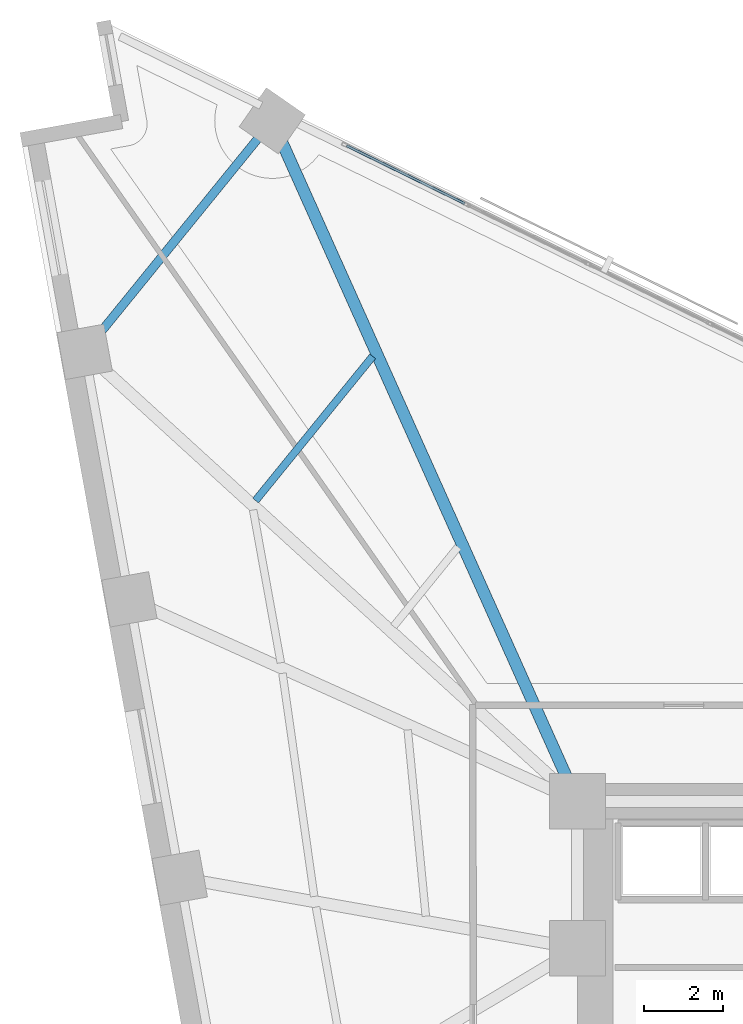
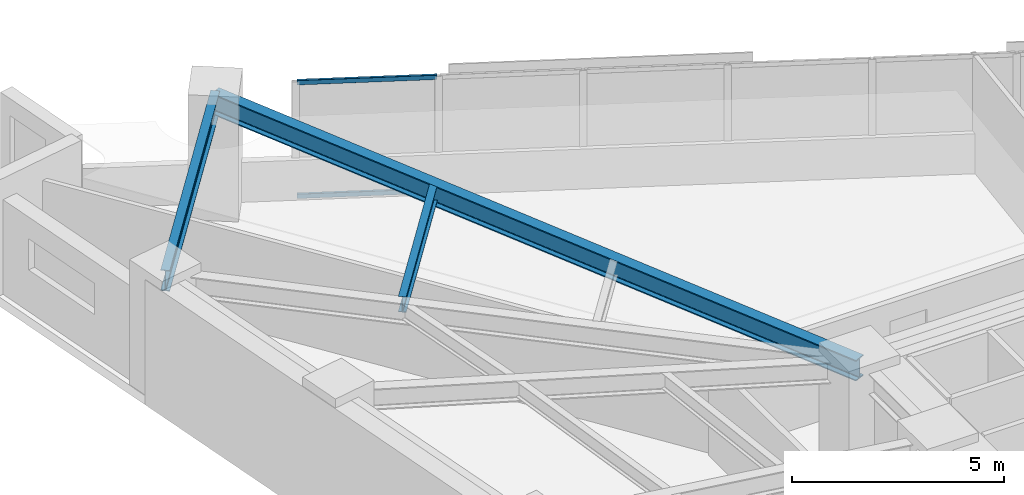
# One storey, part 9 of 18: 3 beams, 2 members, 1 element without a shape of its own.
"""IFC4 building model written with IfcOpenShell, lengths in metres."""

from ifc_helpers import new_model, si_unit, direction, frame, origin, origin_2d, place, context, subcontext, project, spatial, hollow_rectangle, i_section, extrude, material, material_profile, profile_set, type_object, element, aggregate, save


model = new_model("IFC4")

# Units and contexts
model_context = context("Model", 3, precision=1e-05, world=origin(), true_north=direction((0.0, 1.0)))
body_context = subcontext(model_context, "Body", "Model", "MODEL_VIEW")
ifc_project = project(units=[si_unit("LENGTHUNIT", "METRE"), si_unit("AREAUNIT", "SQUARE_METRE"), si_unit("VOLUMEUNIT", "CUBIC_METRE"), si_unit("PLANEANGLEUNIT", "RADIAN"), si_unit("MASSUNIT", "GRAM", prefix="KILO")], contexts=[model_context])

# Site, building, storey
site_placement = place(None, origin())
site = spatial("IfcSite", under=ifc_project, at=site_placement, CompositionType="ELEMENT")
building_placement = place(site_placement, origin())
building = spatial("IfcBuilding", under=site, at=building_placement, Name="Narakoshi Arena Tower", CompositionType="ELEMENT")
storey_placement = place(building_placement, frame((0.0, 0.0, 102.89990234375)))
storey = spatial("IfcBuildingStorey", under=building, at=storey_placement, Name="L27", CompositionType="ELEMENT", Elevation=102.89990234375)

# Beams
ifc_material_1 = material(Name="Structural steel S355J2", Category="steel")
ifc_material_profile_1 = material_profile(ifc_material_1, i_section(OverallWidth=0.219970703125, OverallDepth=0.60009765625, WebThickness=0.011962890625, FlangeThickness=0.01904296875, FilletRadius=0.02392578125, at=origin_2d()), Name="IPE600")
ifc_profile_set_1 = profile_set([ifc_material_profile_1], Name="Structural steel S355J2")
beam_type_1 = type_object("IfcBeamType", Name="BM-EDGE-600", PredefinedType="BEAM", material=ifc_profile_set_1)
beam_1_placement = place(storey_placement, frame((64.31787109375, 73.633056640625, 3.0400390625), z_axis=(-0.630427035182, -0.776248512598, 0.0), x_axis=(0.776248512598, -0.630427035182, 0.0)))
element("IfcBeam", 1, at=beam_1_placement, inside=storey, type_object=beam_type_1, Name="L27 Perimeter Edge Girder 09", PredefinedType="BEAM", context=body_context, shape_type="SweptSolid", body=[
    extrude(i_section(OverallWidth=0.219970703125, OverallDepth=0.60009765625, WebThickness=0.011962890625, FlangeThickness=0.01904296875, FilletRadius=0.02392578125, at=origin_2d()), origin(), (0.0, 0.0, 1.0), 7.493896484375),
])
ifc_material_profile_2 = material_profile(ifc_material_1, i_section(OverallWidth=0.300048828125, OverallDepth=0.60009765625, WebThickness=0.015380859375, FlangeThickness=0.030029296875, FilletRadius=0.027099609375, at=origin_2d()), Name="HE600B")
ifc_profile_set_2 = profile_set([ifc_material_profile_2], Name="Structural steel S355J2")
beam_type_2 = type_object("IfcBeamType", Name="BM-PRI-600", PredefinedType="BEAM", material=ifc_profile_set_2)
beam_2_placement = place(storey_placement, frame((72.0, 56.5, 3.0400390625), z_axis=(-0.409135423529, 0.91247367371, 0.0), x_axis=(-0.91247367371, -0.409135423529, 0.0)))
element("IfcBeam", 2, at=beam_2_placement, inside=storey, type_object=beam_type_2, Name="L27 Radial Primary Floor Girder 09", PredefinedType="BEAM", context=body_context, shape_type="SweptSolid", body=[
    extrude(i_section(OverallWidth=0.300048828125, OverallDepth=0.60009765625, WebThickness=0.015380859375, FlangeThickness=0.030029296875, FilletRadius=0.027099609375, at=origin_2d()), origin(), (0.0, 0.0, 1.0), 18.776611328125),
])
ifc_material_profile_3 = material_profile(ifc_material_1, i_section(OverallWidth=0.18994140625, OverallDepth=0.449951171875, WebThickness=0.009521484375, FlangeThickness=0.0146484375, FilletRadius=0.02099609375, at=origin_2d()), Name="IPE450")
ifc_profile_set_3 = profile_set([ifc_material_profile_3], Name="Structural steel S355J2")
beam_type_3 = type_object("IfcBeamType", Name="BM-SEC-450", PredefinedType="JOIST", material=ifc_profile_set_3)
beam_3_placement = place(storey_placement, frame((66.844482421875, 67.702880859375, 3.114990234375), z_axis=(-0.630421596357, -0.776252929687, 0.0), x_axis=(0.776252929687, -0.630421596357, 0.0)))
element("IfcBeam", 3, at=beam_3_placement, inside=storey, type_object=beam_type_3, Name="L27 Composite Secondary Floor Joist 11", PredefinedType="JOIST", context=body_context, shape_type="SweptSolid", body=[
    extrude(i_section(OverallWidth=0.18994140625, OverallDepth=0.449951171875, WebThickness=0.009521484375, FlangeThickness=0.0146484375, FilletRadius=0.02099609375, at=origin_2d()), origin(), (0.0, 0.0, 1.0), 4.67578125),
])

# Curtain wall, members
ifc_material_2 = material(Name="Anodised bronze aluminium 6063-T6", Category="aluminium")
curtain_wall_type = type_object("IfcCurtainWallType", Name="CW-HYP-LOW", PredefinedType="NOTDEFINED", material=ifc_material_2)
curtain_wall_placement = place(storey_placement, origin())
curtain_wall = element("IfcCurtainWall", 4, at=curtain_wall_placement, inside=storey, type_object=curtain_wall_type, Name="L27 Folded Hypotenuse Curtain Wall 2-1", PredefinedType="NOTDEFINED")
ifc_material_profile_4 = material_profile(ifc_material_2, hollow_rectangle(XDim=0.06494140625, YDim=0.1298828125, WallThickness=0.00390625, OuterFilletRadius=0.0048828125, at=origin_2d()), Name="TRN130x65x4")
ifc_profile_set_4 = profile_set([ifc_material_profile_4], Name="Anodised bronze aluminium 6063-T6")
member_type = type_object("IfcMemberType", Name="MEM-TRN-130", PredefinedType="USERDEFINED", material=ifc_profile_set_4)
member_1_placement = place(storey_placement, frame((69.1591796875, 71.55029296875, 0.03271484375), z_axis=(-0.898012158644, 0.439970638711, 0.0), x_axis=(-0.439970638711, -0.898012158644, 0.0)))
member_1 = element("IfcMember", 5, at=member_1_placement, type_object=member_type, Name="CW-01 transom 7.1", ObjectType="TRANSOM", PredefinedType="USERDEFINED", context=body_context, shape_type="SweptSolid", body=[
    extrude(hollow_rectangle(XDim=0.06494140625, YDim=0.1298828125, WallThickness=0.00390625, OuterFilletRadius=0.0048828125, at=origin_2d()), origin(), (0.0, 0.0, 1.0), 3.31005859375),
])
member_2_placement = place(storey_placement, frame((69.1591796875, 71.55029296875, 3.3076171875), z_axis=(-0.898012158644, 0.439970638711, 0.0), x_axis=(-0.439970638711, -0.898012158644, 0.0)))
member_2 = element("IfcMember", 6, at=member_2_placement, type_object=member_type, Name="CW-01 transom 7.2", ObjectType="TRANSOM", PredefinedType="USERDEFINED", context=body_context, shape_type="SweptSolid", body=[
    extrude(hollow_rectangle(XDim=0.06494140625, YDim=0.1298828125, WallThickness=0.00390625, OuterFilletRadius=0.0048828125, at=origin_2d()), origin(), (0.0, 0.0, 1.0), 3.31005859375),
])
aggregate(curtain_wall, [member_1, member_2])

save(model, "model.ifc")
